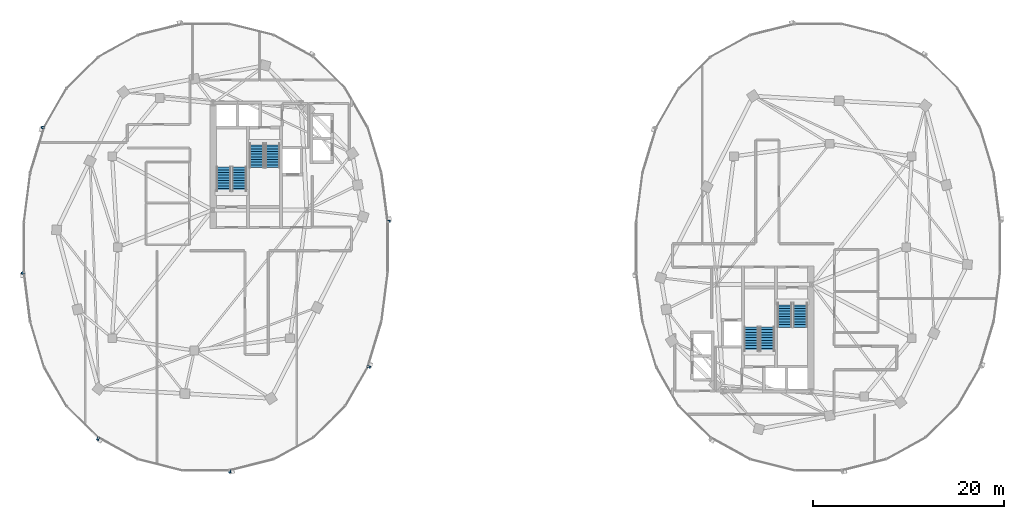
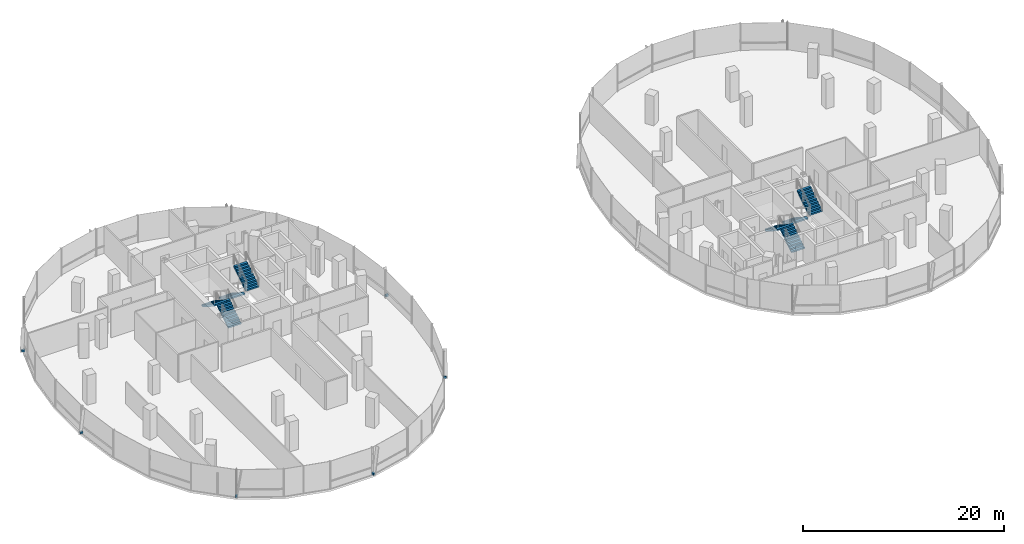
# One storey, part 15 of 22: 8 stair flights, 6 discrete accessories, 4 elements without a shape of their own.
"""IFC4 building model written with IfcOpenShell, lengths in metres."""

from ifc_helpers import new_model, si_unit, direction, frame, origin, origin_2d, place, context, subcontext, project, spatial, polyline, rectangle, outline, extrude, material, type_object, element, aggregate, save


model = new_model("IFC4")

# Units and contexts
model_context = context("Model", 3, precision=1e-05, world=origin(), true_north=direction((0.0, 1.0)))
body_context = subcontext(model_context, "Body", "Model", "MODEL_VIEW")
ifc_project = project(units=[si_unit("LENGTHUNIT", "METRE"), si_unit("AREAUNIT", "SQUARE_METRE"), si_unit("VOLUMEUNIT", "CUBIC_METRE"), si_unit("PLANEANGLEUNIT", "RADIAN"), si_unit("MASSUNIT", "GRAM", prefix="KILO"), si_unit("THERMODYNAMICTEMPERATUREUNIT", "KELVIN"), si_unit("POWERUNIT", "WATT")], contexts=[model_context])

# Site, building, storey
site_placement = place(None, origin())
site = spatial("IfcSite", under=ifc_project, at=site_placement, CompositionType="ELEMENT")
building_placement = place(site_placement, origin())
building = spatial("IfcBuilding", under=site, at=building_placement, Name="Cundina Bronze Exchange", CompositionType="ELEMENT")
storey_placement = place(building_placement, frame((0.0, 0.0, 136.800048828125)))
storey = spatial("IfcBuildingStorey", under=building, at=storey_placement, Name="L35", CompositionType="ELEMENT", Elevation=136.800048828125)

# Stair, stair flights
ifc_material_1 = material(Name="Concrete C40/50", Category="concrete")
stair_type = type_object("IfcStairType", Name="STR-OFF-360", PredefinedType="HALF_TURN_STAIR", material=ifc_material_1)
stair_1_placement = place(storey_placement, origin())
stair_1 = element("IfcStair", 1, at=stair_1_placement, inside=storey, type_object=stair_type, Name="L35 Smokeproof Exit Stair W1", PredefinedType="HALF_TURN_STAIR")
stair_flight_type = type_object("IfcStairFlightType", Name="FLG-OFF-180", PredefinedType="STRAIGHT", material=ifc_material_1)
stair_flight_1_placement = place(storey_placement, frame((-28.489990234375, 5.85009765625, 0.0), z_axis=(0.0, 0.0, 1.0), x_axis=(0.0, 1.0, 0.0)))
stair_flight_1 = element("IfcStairFlight", 2, at=stair_flight_1_placement, type_object=stair_flight_type, Name="ST-W1 flight 1", NumberOfRisers=10, NumberOfTreads=9, PredefinedType="STRAIGHT", RiserHeight=0.18, TreadLength=0.28, context=body_context, shape_type="SweptSolid", body=[
    extrude(outline(polyline([(0.0, 0.0), (0.0, 0.179931640625), (0.280029296875, 0.179931640625), (0.280029296875, 0.360107421875), (0.56005859375, 0.360107421875), (0.56005859375, 0.5400390625), (0.840087890625, 0.5400390625), (0.840087890625, 0.719970703125), (1.1201171875, 0.719970703125), (1.1201171875, 0.89990234375), (1.39990234375, 0.89990234375), (1.39990234375, 1.080078125), (1.679931640625, 1.080078125), (1.679931640625, 1.260009765625), (1.9599609375, 1.260009765625), (1.9599609375, 1.43994140625), (2.239990234375, 1.43994140625), (2.239990234375, 1.6201171875), (2.52001953125, 1.6201171875), (2.52001953125, 1.800048828125), (2.52001953125, 1.44189453125), (0.277099609375, 0.0), (0.0, 0.0)])), frame((0.0, 0.75, 0.0), z_axis=(0.0, -1.0, 0.0), x_axis=(1.0, 0.0, 0.0)), (0.0, 0.0, 1.0), 1.5),
])
stair_flight_2_placement = place(storey_placement, frame((-30.14990234375, 8.3701171875, 1.800048828125), z_axis=(0.0, 0.0, 1.0), x_axis=(0.0, -1.0, 0.0)))
stair_flight_2 = element("IfcStairFlight", 3, at=stair_flight_2_placement, type_object=stair_flight_type, Name="ST-W1 flight 2", NumberOfRisers=10, NumberOfTreads=9, PredefinedType="STRAIGHT", RiserHeight=0.18, TreadLength=0.28, context=body_context, shape_type="SweptSolid", body=[
    extrude(outline(polyline([(0.0, 0.0), (0.0, 0.179931640625), (0.280029296875, 0.179931640625), (0.280029296875, 0.360107421875), (0.56005859375, 0.360107421875), (0.56005859375, 0.5400390625), (0.840087890625, 0.5400390625), (0.840087890625, 0.719970703125), (1.1201171875, 0.719970703125), (1.1201171875, 0.89990234375), (1.39990234375, 0.89990234375), (1.39990234375, 1.080078125), (1.679931640625, 1.080078125), (1.679931640625, 1.260009765625), (1.9599609375, 1.260009765625), (1.9599609375, 1.43994140625), (2.239990234375, 1.43994140625), (2.239990234375, 1.6201171875), (2.52001953125, 1.6201171875), (2.52001953125, 1.800048828125), (2.52001953125, 1.44189453125), (0.277099609375, 0.0), (0.0, 0.0)])), frame((0.0, 0.75, 0.0), z_axis=(0.0, -1.0, 0.0), x_axis=(1.0, 0.0, 0.0)), (0.0, 0.0, 1.0), 1.5),
])
aggregate(stair_1, [stair_flight_1, stair_flight_2])

stair_2_placement = place(storey_placement, origin())
stair_2 = element("IfcStair", 4, at=stair_2_placement, inside=storey, type_object=stair_type, Name="L35 Smokeproof Exit Stair W2", PredefinedType="HALF_TURN_STAIR")
stair_flight_3_placement = place(storey_placement, frame((-26.68994140625, 10.85009765625, 0.0), z_axis=(0.0, 0.0, 1.0), x_axis=(0.0, -1.0, 0.0)))
stair_flight_3 = element("IfcStairFlight", 5, at=stair_flight_3_placement, type_object=stair_flight_type, Name="ST-W2 flight 1", NumberOfRisers=10, NumberOfTreads=9, PredefinedType="STRAIGHT", RiserHeight=0.18, TreadLength=0.28, context=body_context, shape_type="SweptSolid", body=[
    extrude(outline(polyline([(0.0, 0.0), (0.0, 0.179931640625), (0.280029296875, 0.179931640625), (0.280029296875, 0.360107421875), (0.56005859375, 0.360107421875), (0.56005859375, 0.5400390625), (0.840087890625, 0.5400390625), (0.840087890625, 0.719970703125), (1.1201171875, 0.719970703125), (1.1201171875, 0.89990234375), (1.39990234375, 0.89990234375), (1.39990234375, 1.080078125), (1.679931640625, 1.080078125), (1.679931640625, 1.260009765625), (1.9599609375, 1.260009765625), (1.9599609375, 1.43994140625), (2.239990234375, 1.43994140625), (2.239990234375, 1.6201171875), (2.52001953125, 1.6201171875), (2.52001953125, 1.800048828125), (2.52001953125, 1.44189453125), (0.277099609375, 0.0), (0.0, 0.0)])), frame((0.0, 0.75, 0.0), z_axis=(0.0, -1.0, 0.0), x_axis=(1.0, 0.0, 0.0)), (0.0, 0.0, 1.0), 1.5),
])
stair_flight_4_placement = place(storey_placement, frame((-25.030029296875, 8.330078125, 1.800048828125), z_axis=(0.0, 0.0, 1.0), x_axis=(0.0, 1.0, 0.0)))
stair_flight_4 = element("IfcStairFlight", 6, at=stair_flight_4_placement, type_object=stair_flight_type, Name="ST-W2 flight 2", NumberOfRisers=10, NumberOfTreads=9, PredefinedType="STRAIGHT", RiserHeight=0.18, TreadLength=0.28, context=body_context, shape_type="SweptSolid", body=[
    extrude(outline(polyline([(0.0, 0.0), (0.0, 0.179931640625), (0.280029296875, 0.179931640625), (0.280029296875, 0.360107421875), (0.56005859375, 0.360107421875), (0.56005859375, 0.5400390625), (0.840087890625, 0.5400390625), (0.840087890625, 0.719970703125), (1.1201171875, 0.719970703125), (1.1201171875, 0.89990234375), (1.39990234375, 0.89990234375), (1.39990234375, 1.080078125), (1.679931640625, 1.080078125), (1.679931640625, 1.260009765625), (1.9599609375, 1.260009765625), (1.9599609375, 1.43994140625), (2.239990234375, 1.43994140625), (2.239990234375, 1.6201171875), (2.52001953125, 1.6201171875), (2.52001953125, 1.800048828125), (2.52001953125, 1.44189453125), (0.277099609375, 0.0), (0.0, 0.0)])), frame((0.0, 0.75, 0.0), z_axis=(0.0, -1.0, 0.0), x_axis=(1.0, 0.0, 0.0)), (0.0, 0.0, 1.0), 1.5),
])
aggregate(stair_2, [stair_flight_3, stair_flight_4])

stair_3_placement = place(storey_placement, origin())
stair_3 = element("IfcStair", 7, at=stair_3_placement, inside=storey, type_object=stair_type, Name="L35 Smokeproof Exit Stair E1", PredefinedType="HALF_TURN_STAIR")
stair_flight_5_placement = place(storey_placement, frame((28.489990234375, -5.85009765625, 0.0), z_axis=(0.0, 0.0, 1.0), x_axis=(0.0, -1.0, 0.0)))
stair_flight_5 = element("IfcStairFlight", 8, at=stair_flight_5_placement, type_object=stair_flight_type, Name="ST-E1 flight 1", NumberOfRisers=10, NumberOfTreads=9, PredefinedType="STRAIGHT", RiserHeight=0.18, TreadLength=0.28, context=body_context, shape_type="SweptSolid", body=[
    extrude(outline(polyline([(0.0, 0.0), (0.0, 0.179931640625), (0.280029296875, 0.179931640625), (0.280029296875, 0.360107421875), (0.56005859375, 0.360107421875), (0.56005859375, 0.5400390625), (0.840087890625, 0.5400390625), (0.840087890625, 0.719970703125), (1.1201171875, 0.719970703125), (1.1201171875, 0.89990234375), (1.39990234375, 0.89990234375), (1.39990234375, 1.080078125), (1.679931640625, 1.080078125), (1.679931640625, 1.260009765625), (1.9599609375, 1.260009765625), (1.9599609375, 1.43994140625), (2.239990234375, 1.43994140625), (2.239990234375, 1.6201171875), (2.52001953125, 1.6201171875), (2.52001953125, 1.800048828125), (2.52001953125, 1.44189453125), (0.277099609375, 0.0), (0.0, 0.0)])), frame((0.0, 0.75, 0.0), z_axis=(0.0, -1.0, 0.0), x_axis=(1.0, 0.0, 0.0)), (0.0, 0.0, 1.0), 1.5),
])
stair_flight_6_placement = place(storey_placement, frame((30.14990234375, -8.3701171875, 1.800048828125), z_axis=(0.0, 0.0, 1.0), x_axis=(0.0, 1.0, 0.0)))
stair_flight_6 = element("IfcStairFlight", 9, at=stair_flight_6_placement, type_object=stair_flight_type, Name="ST-E1 flight 2", NumberOfRisers=10, NumberOfTreads=9, PredefinedType="STRAIGHT", RiserHeight=0.18, TreadLength=0.28, context=body_context, shape_type="SweptSolid", body=[
    extrude(outline(polyline([(0.0, 0.0), (0.0, 0.179931640625), (0.280029296875, 0.179931640625), (0.280029296875, 0.360107421875), (0.56005859375, 0.360107421875), (0.56005859375, 0.5400390625), (0.840087890625, 0.5400390625), (0.840087890625, 0.719970703125), (1.1201171875, 0.719970703125), (1.1201171875, 0.89990234375), (1.39990234375, 0.89990234375), (1.39990234375, 1.080078125), (1.679931640625, 1.080078125), (1.679931640625, 1.260009765625), (1.9599609375, 1.260009765625), (1.9599609375, 1.43994140625), (2.239990234375, 1.43994140625), (2.239990234375, 1.6201171875), (2.52001953125, 1.6201171875), (2.52001953125, 1.800048828125), (2.52001953125, 1.44189453125), (0.277099609375, 0.0), (0.0, 0.0)])), frame((0.0, 0.75, 0.0), z_axis=(0.0, -1.0, 0.0), x_axis=(1.0, 0.0, 0.0)), (0.0, 0.0, 1.0), 1.5),
])
aggregate(stair_3, [stair_flight_5, stair_flight_6])

stair_4_placement = place(storey_placement, origin())
stair_4 = element("IfcStair", 10, at=stair_4_placement, inside=storey, type_object=stair_type, Name="L35 Smokeproof Exit Stair E2", PredefinedType="HALF_TURN_STAIR")
stair_flight_7_placement = place(storey_placement, frame((26.68994140625, -10.85009765625, 0.0), z_axis=(0.0, 0.0, 1.0), x_axis=(0.0, 1.0, 0.0)))
stair_flight_7 = element("IfcStairFlight", 11, at=stair_flight_7_placement, type_object=stair_flight_type, Name="ST-E2 flight 1", NumberOfRisers=10, NumberOfTreads=9, PredefinedType="STRAIGHT", RiserHeight=0.18, TreadLength=0.28, context=body_context, shape_type="SweptSolid", body=[
    extrude(outline(polyline([(0.0, 0.0), (0.0, 0.179931640625), (0.280029296875, 0.179931640625), (0.280029296875, 0.360107421875), (0.56005859375, 0.360107421875), (0.56005859375, 0.5400390625), (0.840087890625, 0.5400390625), (0.840087890625, 0.719970703125), (1.1201171875, 0.719970703125), (1.1201171875, 0.89990234375), (1.39990234375, 0.89990234375), (1.39990234375, 1.080078125), (1.679931640625, 1.080078125), (1.679931640625, 1.260009765625), (1.9599609375, 1.260009765625), (1.9599609375, 1.43994140625), (2.239990234375, 1.43994140625), (2.239990234375, 1.6201171875), (2.52001953125, 1.6201171875), (2.52001953125, 1.800048828125), (2.52001953125, 1.44189453125), (0.277099609375, 0.0), (0.0, 0.0)])), frame((0.0, 0.75, 0.0), z_axis=(0.0, -1.0, 0.0), x_axis=(1.0, 0.0, 0.0)), (0.0, 0.0, 1.0), 1.5),
])
stair_flight_8_placement = place(storey_placement, frame((25.030029296875, -8.330078125, 1.800048828125), z_axis=(0.0, 0.0, 1.0), x_axis=(0.0, -1.0, 0.0)))
stair_flight_8 = element("IfcStairFlight", 12, at=stair_flight_8_placement, type_object=stair_flight_type, Name="ST-E2 flight 2", NumberOfRisers=10, NumberOfTreads=9, PredefinedType="STRAIGHT", RiserHeight=0.18, TreadLength=0.28, context=body_context, shape_type="SweptSolid", body=[
    extrude(outline(polyline([(0.0, 0.0), (0.0, 0.179931640625), (0.280029296875, 0.179931640625), (0.280029296875, 0.360107421875), (0.56005859375, 0.360107421875), (0.56005859375, 0.5400390625), (0.840087890625, 0.5400390625), (0.840087890625, 0.719970703125), (1.1201171875, 0.719970703125), (1.1201171875, 0.89990234375), (1.39990234375, 0.89990234375), (1.39990234375, 1.080078125), (1.679931640625, 1.080078125), (1.679931640625, 1.260009765625), (1.9599609375, 1.260009765625), (1.9599609375, 1.43994140625), (2.239990234375, 1.43994140625), (2.239990234375, 1.6201171875), (2.52001953125, 1.6201171875), (2.52001953125, 1.800048828125), (2.52001953125, 1.44189453125), (0.277099609375, 0.0), (0.0, 0.0)])), frame((0.0, 0.75, 0.0), z_axis=(0.0, -1.0, 0.0), x_axis=(1.0, 0.0, 0.0)), (0.0, 0.0, 1.0), 1.5),
])
aggregate(stair_4, [stair_flight_7, stair_flight_8])

# Discrete accessories
ifc_material_2 = material(Name="Anodised Bronze Aluminium 6063-T6", Category="aluminium")
discrete_accessory_type = type_object("IfcDiscreteAccessoryType", Name="ACC-BRK-FIN", PredefinedType="BRACKET", material=ifc_material_2)
for number, where, z_axis, x_axis, name in (
    (13, (-12.874267578125, 2.69189453125, 0.10009765625), (0.0, 0.0, 1.0), (-0.126475984253, 0.9919696696, 0.0), "L35 Fin Support Bracket 1"),
    (14, (-49.0458984375, 12.511962890625, 0.10009765625), (0.0, 0.0, 1.0), (-0.290050843957, -0.957011237092, 0.0), "L35 Fin Support Bracket 5"),
    (15, (-51.125732421875, -2.69189453125, 0.10009765625), (0.0, 0.0, 1.0), (0.126475984253, -0.9919696696, 0.0), "L35 Fin Support Bracket 1"),
    (16, (-43.266845703125, -20.015380859375, 0.10009765625), (0.0, 0.0, 1.0), (0.875869093438, -0.482548786301, 0.0), "L35 Fin Support Bracket 5"),
    (17, (-29.507080078125, -23.44970703125, 0.10009765625), (0.0, 0.0, 1.0), (0.970092713791, 0.242734683656, 0.0), "L35 Fin Support Bracket 1"),
    (18, (-14.9541015625, -12.511962890625, 0.10009765625), (0.0, 0.0, 1.0), (0.290050843957, 0.957011237092, 0.0), "L35 Fin Support Bracket 5"),
):
    element("IfcDiscreteAccessory", number, at=place(storey_placement, frame(where, z_axis=z_axis, x_axis=x_axis)), inside=storey, type_object=discrete_accessory_type, Name=name, PredefinedType="BRACKET", context=body_context, shape_type="SweptSolid", body=[
        extrude(rectangle(XDim=0.219970703125, YDim=0.320068359375, at=origin_2d()), origin(), (0.0, 0.0, 1.0), 0.239990234375),
    ])

save(model, "model.ifc")
